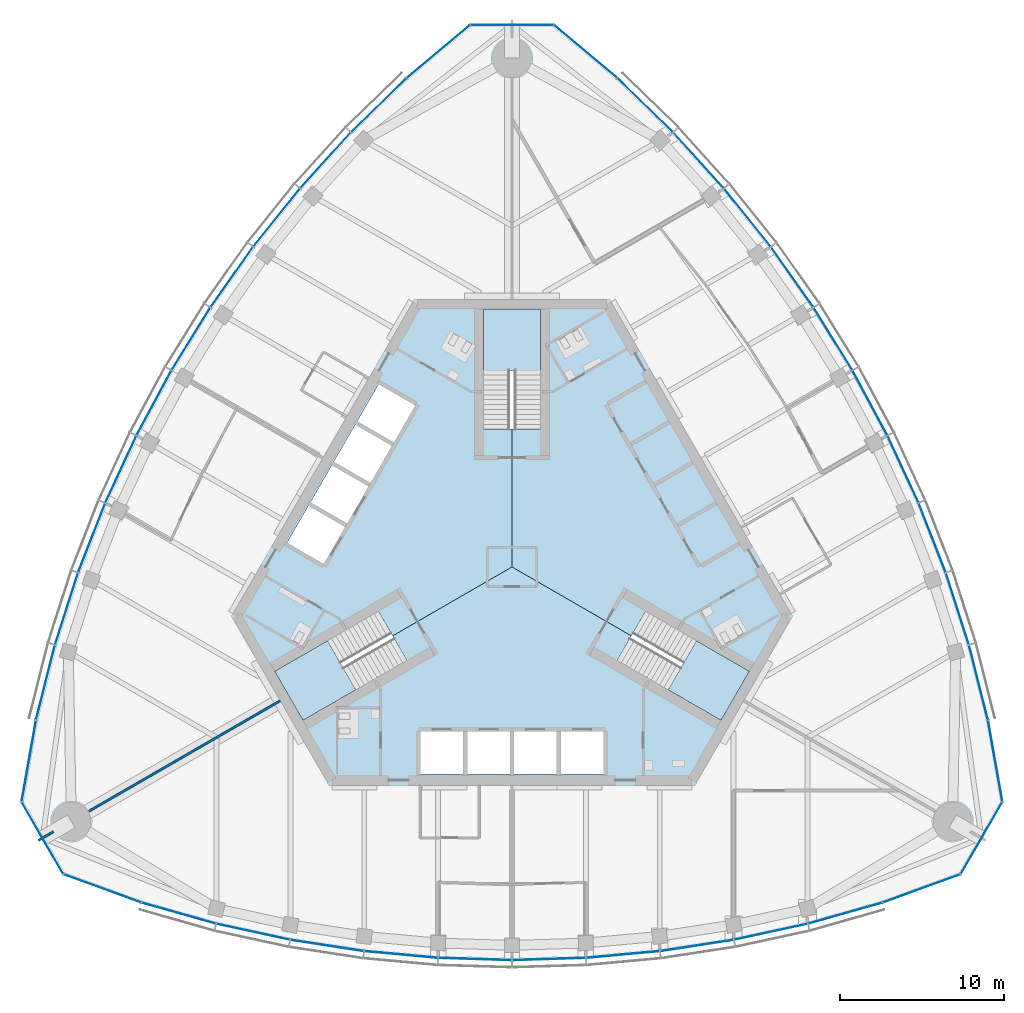
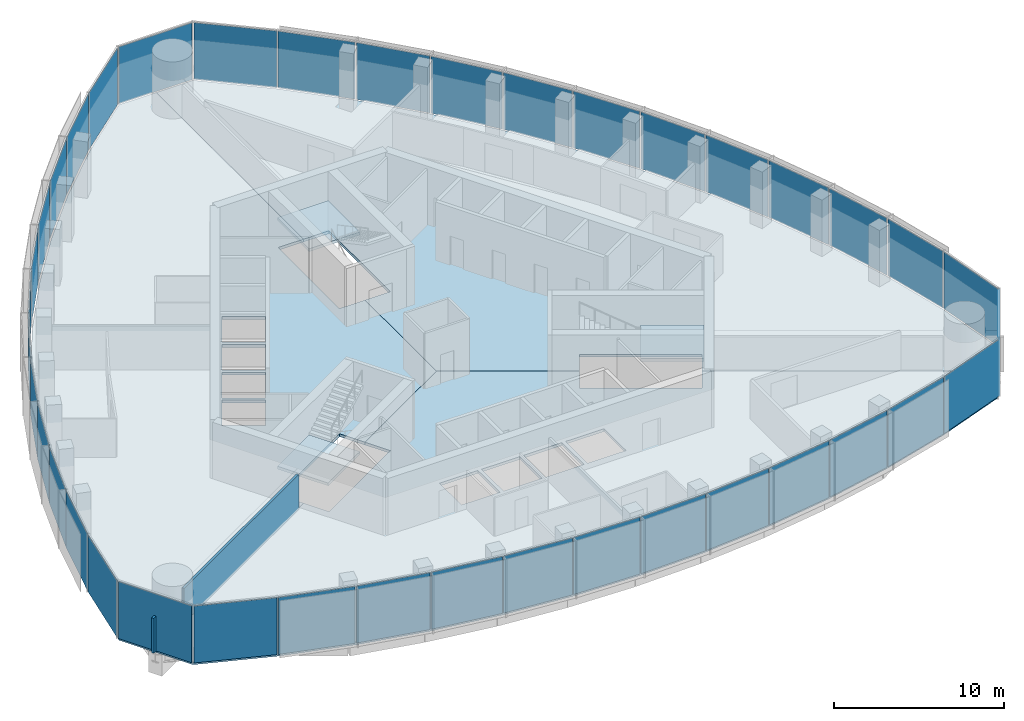
# One storey, part 7 of 16: 39 plates, 6 slabs, 2 walls, 9 elements without a shape of their own.
"""IFC4 building model written with IfcOpenShell, lengths in metres."""

from ifc_helpers import new_model, si_unit, direction, frame, frame_2d, origin, origin_2d, place, context, subcontext, project, spatial, polyline, rectangle, outline, extrude, material, layer, layer_set, type_object, element, aggregate, save


model = new_model("IFC4")

# Units and contexts
model_context = context("Model", 3, precision=1e-05, world=origin(), true_north=direction((0.0, 1.0)))
body_context = subcontext(model_context, "Body", "Model", "MODEL_VIEW")
ifc_project = project(units=[si_unit("LENGTHUNIT", "METRE"), si_unit("AREAUNIT", "SQUARE_METRE"), si_unit("VOLUMEUNIT", "CUBIC_METRE"), si_unit("PLANEANGLEUNIT", "RADIAN"), si_unit("MASSUNIT", "GRAM", prefix="KILO")], contexts=[model_context])

# Site, building, storey
site_placement = place(None, origin())
site = spatial("IfcSite", under=ifc_project, at=site_placement, CompositionType="ELEMENT")
building_placement = place(site_placement, origin())
building = spatial("IfcBuilding", under=site, at=building_placement, Name="Trefoil Bronze Tower", CompositionType="ELEMENT")
storey_placement = place(building_placement, frame((0.0, 0.0, 314.10009765625)))
storey = spatial("IfcBuildingStorey", under=building, at=storey_placement, Name="L72", CompositionType="ELEMENT", Elevation=314.10009765625)

# Curtain wall, plates
ifc_material_1 = material(Name="Tinted solar-control glass", Category="glass")
curtain_wall_type_1 = type_object("IfcCurtainWallType", Name="Bronze office curtain wall", PredefinedType="USERDEFINED", material=ifc_material_1)
curtain_wall_1_placement = place(storey_placement, origin())
curtain_wall_1 = element("IfcCurtainWall", 1, at=curtain_wall_1_placement, inside=storey, type_object=curtain_wall_type_1, Name="CW-A L72 F1", ObjectType="CURTAIN WALL", PredefinedType="USERDEFINED")
ifc_material_2 = material(Name="Tinted solar-control glass", Category="glass")
ifc_layer_1 = layer(ifc_material_2, 0.030029296875)
ifc_layer_set_1 = layer_set([ifc_layer_1], Name="Bronze office curtain wall glass panel")
plate_type_1 = type_object("IfcPlateType", Name="Bronze office curtain wall glass panel", PredefinedType="CURTAIN_PANEL", material=ifc_layer_set_1)
plate_1_placement = place(storey_placement, frame((-20.301513671875, -21.092529296875, -0.000244140625), z_axis=(0.0, 0.0, 1.0), x_axis=(0.962097746943, -0.272704831875, 0.0)))
plate_1 = element("IfcPlate", 2, at=plate_1_placement, type_object=plate_type_1, Name="CW-A L72 F1 panel 1", PredefinedType="CURTAIN_PANEL", context=body_context, shape_type="SweptSolid", body=[
    extrude(rectangle(XDim=4.6474609375, YDim=0.030029296875, at=origin_2d()), origin(), (0.0, 0.0, 1.0), 4.080078125),
])
plate_2_placement = place(storey_placement, frame((-15.771240234375, -22.226318359375, -0.000244140625), z_axis=(0.0, 0.0, 1.0), x_axis=(0.977303138829, -0.211845639168, 0.0)))
plate_2 = element("IfcPlate", 3, at=plate_2_placement, type_object=plate_type_1, Name="CW-A L72 F1 panel 2", PredefinedType="CURTAIN_PANEL", context=body_context, shape_type="SweptSolid", body=[
    extrude(rectangle(XDim=4.5244140625, YDim=0.030029296875, at=origin_2d()), origin(), (0.0, 0.0, 1.0), 4.080078125),
])
plate_3_placement = place(storey_placement, frame((-11.26513671875, -23.0595703125, -0.000244140625), z_axis=(0.0, 0.0, 1.0), x_axis=(0.988485337216, -0.151316681529, 0.0)))
plate_3 = element("IfcPlate", 4, at=plate_3_placement, type_object=plate_type_1, Name="CW-A L72 F1 panel 3", PredefinedType="CURTAIN_PANEL", context=body_context, shape_type="SweptSolid", body=[
    extrude(rectangle(XDim=4.472412109375, YDim=0.030029296875, at=origin_2d()), origin(), (0.0, 0.0, 1.0), 4.080078125),
])
plate_4_placement = place(storey_placement, frame((-6.759033203125, -23.60986328125, -0.000244140625), z_axis=(0.0, 0.0, 1.0), x_axis=(0.99587011625, -0.090789380212, 0.0)))
plate_4 = element("IfcPlate", 5, at=plate_4_placement, type_object=plate_type_1, Name="CW-A L72 F1 panel 4", PredefinedType="CURTAIN_PANEL", context=body_context, shape_type="SweptSolid", body=[
    extrude(rectangle(XDim=4.438720703125, YDim=0.030029296875, at=origin_2d()), origin(), (0.0, 0.0, 1.0), 4.080078125),
])
plate_5_placement = place(storey_placement, frame((-2.2529296875, -23.883544921875, -0.000244140625), z_axis=(0.0, 0.0, 1.0), x_axis=(0.999541969785, -0.030263024264, 0.0)))
plate_5 = element("IfcPlate", 6, at=plate_5_placement, type_object=plate_type_1, Name="CW-A L72 F1 panel 5", PredefinedType="CURTAIN_PANEL", context=body_context, shape_type="SweptSolid", body=[
    extrude(rectangle(XDim=4.422119140625, YDim=0.030029296875, at=origin_2d()), origin(), (0.0, 0.0, 1.0), 4.080078125),
])
plate_6_placement = place(storey_placement, frame((2.2529296875, -23.883544921875, -0.000244140625), z_axis=(0.0, 0.0, 1.0), x_axis=(0.999541969785, 0.030263024264, 0.0)))
plate_6 = element("IfcPlate", 7, at=plate_6_placement, type_object=plate_type_1, Name="CW-A L72 F1 panel 6", PredefinedType="CURTAIN_PANEL", context=body_context, shape_type="SweptSolid", body=[
    extrude(rectangle(XDim=4.422119140625, YDim=0.030029296875, at=origin_2d()), origin(), (0.0, 0.0, 1.0), 4.080078125),
])
plate_7_placement = place(storey_placement, frame((6.759033203125, -23.60986328125, -0.000244140625), z_axis=(0.0, 0.0, 1.0), x_axis=(0.99587011625, 0.090789380212, 0.0)))
plate_7 = element("IfcPlate", 8, at=plate_7_placement, type_object=plate_type_1, Name="CW-A L72 F1 panel 7", PredefinedType="CURTAIN_PANEL", context=body_context, shape_type="SweptSolid", body=[
    extrude(rectangle(XDim=4.438720703125, YDim=0.030029296875, at=origin_2d()), origin(), (0.0, 0.0, 1.0), 4.080078125),
])
plate_8_placement = place(storey_placement, frame((11.26513671875, -23.0595703125, -0.000244140625), z_axis=(0.0, 0.0, 1.0), x_axis=(0.988485337216, 0.151316681529, 0.0)))
plate_8 = element("IfcPlate", 9, at=plate_8_placement, type_object=plate_type_1, Name="CW-A L72 F1 panel 8", PredefinedType="CURTAIN_PANEL", context=body_context, shape_type="SweptSolid", body=[
    extrude(rectangle(XDim=4.472412109375, YDim=0.030029296875, at=origin_2d()), origin(), (0.0, 0.0, 1.0), 4.080078125),
])
plate_9_placement = place(storey_placement, frame((15.771240234375, -22.226318359375, -0.000244140625), z_axis=(0.0, 0.0, 1.0), x_axis=(0.977303138829, 0.211845639168, 0.0)))
plate_9 = element("IfcPlate", 10, at=plate_9_placement, type_object=plate_type_1, Name="CW-A L72 F1 panel 9", PredefinedType="CURTAIN_PANEL", context=body_context, shape_type="SweptSolid", body=[
    extrude(rectangle(XDim=4.5244140625, YDim=0.030029296875, at=origin_2d()), origin(), (0.0, 0.0, 1.0), 4.080078125),
])
plate_10_placement = place(storey_placement, frame((20.301513671875, -21.092529296875, -0.000244140625), z_axis=(0.0, 0.0, 1.0), x_axis=(0.962097746943, 0.272704831875, 0.0)))
plate_10 = element("IfcPlate", 11, at=plate_10_placement, type_object=plate_type_1, Name="CW-A L72 F1 panel 10", PredefinedType="CURTAIN_PANEL", context=body_context, shape_type="SweptSolid", body=[
    extrude(rectangle(XDim=4.6474609375, YDim=0.030029296875, at=origin_2d()), origin(), (0.0, 0.0, 1.0), 4.080078125),
])
aggregate(curtain_wall_1, [plate_1, plate_2, plate_3, plate_4, plate_5, plate_6, plate_7, plate_8, plate_9, plate_10])

curtain_wall_2_placement = place(storey_placement, origin())
curtain_wall_2 = element("IfcCurtainWall", 12, at=curtain_wall_2_placement, inside=storey, type_object=curtain_wall_type_1, Name="CW-A L72 F2", ObjectType="CURTAIN WALL", PredefinedType="USERDEFINED")
plate_11_placement = place(storey_placement, frame((28.417236328125, -7.035400390625, -0.000244140625), z_axis=(0.0, 0.0, 1.0), x_axis=(-0.244879561333, 0.969553505713, 0.0)))
plate_11 = element("IfcPlate", 13, at=plate_11_placement, type_object=plate_type_1, Name="CW-A L72 F2 panel 1", PredefinedType="CURTAIN_PANEL", context=body_context, shape_type="SweptSolid", body=[
    extrude(rectangle(XDim=4.6474609375, YDim=0.030029296875, at=origin_2d()), origin(), (0.0, 0.0, 1.0), 4.080078125),
])
plate_12_placement = place(storey_placement, frame((27.134033203125, -2.545166015625, -0.000244140625), z_axis=(0.0, 0.0, 1.0), x_axis=(-0.305187864214, 0.952292165009, 0.0)))
plate_12 = element("IfcPlate", 14, at=plate_12_placement, type_object=plate_type_1, Name="CW-A L72 F2 panel 2", PredefinedType="CURTAIN_PANEL", context=body_context, shape_type="SweptSolid", body=[
    extrude(rectangle(XDim=4.5244140625, YDim=0.030029296875, at=origin_2d()), origin(), (0.0, 0.0, 1.0), 4.080078125),
])
plate_13_placement = place(storey_placement, frame((25.602783203125, 1.77392578125, -0.000244140625), z_axis=(0.0, 0.0, 1.0), x_axis=(-0.363198578387, 0.931711754062, 0.0)))
plate_13 = element("IfcPlate", 15, at=plate_13_placement, type_object=plate_type_1, Name="CW-A L72 F2 panel 3", PredefinedType="CURTAIN_PANEL", context=body_context, shape_type="SweptSolid", body=[
    extrude(rectangle(XDim=4.472412109375, YDim=0.030029296875, at=origin_2d()), origin(), (0.0, 0.0, 1.0), 4.080078125),
])
plate_14_placement = place(storey_placement, frame((23.826171875, 5.951416015625, -0.000244140625), z_axis=(0.0, 0.0, 1.0), x_axis=(-0.419309148468, 0.907843509649, 0.0)))
plate_14 = element("IfcPlate", 16, at=plate_14_placement, type_object=plate_type_1, Name="CW-A L72 F2 panel 4", PredefinedType="CURTAIN_PANEL", context=body_context, shape_type="SweptSolid", body=[
    extrude(rectangle(XDim=4.438720703125, YDim=0.030029296875, at=origin_2d()), origin(), (0.0, 0.0, 1.0), 4.080078125),
])
plate_15_placement = place(storey_placement, frame((21.81005859375, 9.990478515625, -0.000244140625), z_axis=(0.0, 0.0, 1.0), x_axis=(-0.473562437085, 0.880760250115, 0.0)))
plate_15 = element("IfcPlate", 17, at=plate_15_placement, type_object=plate_type_1, Name="CW-A L72 F2 panel 5", PredefinedType="CURTAIN_PANEL", context=body_context, shape_type="SweptSolid", body=[
    extrude(rectangle(XDim=4.422119140625, YDim=0.030029296875, at=origin_2d()), origin(), (0.0, 0.0, 1.0), 4.080078125),
])
plate_16_placement = place(storey_placement, frame((19.55712890625, 13.892822265625, -0.000244140625), z_axis=(0.0, 0.0, 1.0), x_axis=(-0.525979532701, 0.850497225851, 0.0)))
plate_16 = element("IfcPlate", 18, at=plate_16_placement, type_object=plate_type_1, Name="CW-A L72 F2 panel 6", PredefinedType="CURTAIN_PANEL", context=body_context, shape_type="SweptSolid", body=[
    extrude(rectangle(XDim=4.422119140625, YDim=0.030029296875, at=origin_2d()), origin(), (0.0, 0.0, 1.0), 4.080078125),
])
plate_17_placement = place(storey_placement, frame((17.067138671875, 17.658447265625, -0.000244140625), z_axis=(0.0, 0.0, 1.0), x_axis=(-0.576560967783, 0.817054129437, 0.0)))
plate_17 = element("IfcPlate", 19, at=plate_17_placement, type_object=plate_type_1, Name="CW-A L72 F2 panel 7", PredefinedType="CURTAIN_PANEL", context=body_context, shape_type="SweptSolid", body=[
    extrude(rectangle(XDim=4.438720703125, YDim=0.030029296875, at=origin_2d()), origin(), (0.0, 0.0, 1.0), 4.080078125),
])
plate_18_placement = place(storey_placement, frame((14.337646484375, 21.28564453125, -0.000244140625), z_axis=(0.0, 0.0, 1.0), x_axis=(-0.625286758829, 0.780395072533, 0.0)))
plate_18 = element("IfcPlate", 20, at=plate_18_placement, type_object=plate_type_1, Name="CW-A L72 F2 panel 8", PredefinedType="CURTAIN_PANEL", context=body_context, shape_type="SweptSolid", body=[
    extrude(rectangle(XDim=4.472412109375, YDim=0.030029296875, at=origin_2d()), origin(), (0.0, 0.0, 1.0), 4.080078125),
])
plate_19_placement = place(storey_placement, frame((11.36279296875, 24.771484375, -0.000244140625), z_axis=(0.0, 0.0, 1.0), x_axis=(-0.672115274615, 0.74044652584, 0.0)))
plate_19 = element("IfcPlate", 21, at=plate_19_placement, type_object=plate_type_1, Name="CW-A L72 F2 panel 9", PredefinedType="CURTAIN_PANEL", context=body_context, shape_type="SweptSolid", body=[
    extrude(rectangle(XDim=4.5244140625, YDim=0.030029296875, at=origin_2d()), origin(), (0.0, 0.0, 1.0), 4.080078125),
])
plate_20_placement = place(storey_placement, frame((8.115966796875, 28.127685546875, -0.000244140625), z_axis=(0.0, 0.0, 1.0), x_axis=(-0.71721818561, 0.696848673839, 0.0)))
plate_20 = element("IfcPlate", 22, at=plate_20_placement, type_object=plate_type_1, Name="CW-A L72 F2 panel 10", PredefinedType="CURTAIN_PANEL", context=body_context, shape_type="SweptSolid", body=[
    extrude(rectangle(XDim=4.6474609375, YDim=0.030029296875, at=origin_2d()), origin(), (0.0, 0.0, 1.0), 4.080078125),
])
aggregate(curtain_wall_2, [plate_11, plate_12, plate_13, plate_14, plate_15, plate_16, plate_17, plate_18, plate_19, plate_20])

curtain_wall_3_placement = place(storey_placement, origin())
curtain_wall_3 = element("IfcCurtainWall", 23, at=curtain_wall_3_placement, inside=storey, type_object=curtain_wall_type_1, Name="CW-A L72 F3", ObjectType="CURTAIN WALL", PredefinedType="USERDEFINED")
plate_21_placement = place(storey_placement, frame((-8.115966796875, 28.127685546875, -0.000244140625), z_axis=(0.0, 0.0, 1.0), x_axis=(-0.71721818561, -0.696848673839, 0.0)))
plate_21 = element("IfcPlate", 24, at=plate_21_placement, type_object=plate_type_1, Name="CW-A L72 F3 panel 1", PredefinedType="CURTAIN_PANEL", context=body_context, shape_type="SweptSolid", body=[
    extrude(rectangle(XDim=4.6474609375, YDim=0.030029296875, at=origin_2d()), origin(), (0.0, 0.0, 1.0), 4.080078125),
])
plate_22_placement = place(storey_placement, frame((-11.36279296875, 24.771484375, -0.000244140625), z_axis=(0.0, 0.0, 1.0), x_axis=(-0.672115274615, -0.74044652584, 0.0)))
plate_22 = element("IfcPlate", 25, at=plate_22_placement, type_object=plate_type_1, Name="CW-A L72 F3 panel 2", PredefinedType="CURTAIN_PANEL", context=body_context, shape_type="SweptSolid", body=[
    extrude(rectangle(XDim=4.5244140625, YDim=0.030029296875, at=origin_2d()), origin(), (0.0, 0.0, 1.0), 4.080078125),
])
plate_23_placement = place(storey_placement, frame((-14.337646484375, 21.28564453125, -0.000244140625), z_axis=(0.0, 0.0, 1.0), x_axis=(-0.625286758829, -0.780395072533, 0.0)))
plate_23 = element("IfcPlate", 26, at=plate_23_placement, type_object=plate_type_1, Name="CW-A L72 F3 panel 3", PredefinedType="CURTAIN_PANEL", context=body_context, shape_type="SweptSolid", body=[
    extrude(rectangle(XDim=4.472412109375, YDim=0.030029296875, at=origin_2d()), origin(), (0.0, 0.0, 1.0), 4.080078125),
])
plate_24_placement = place(storey_placement, frame((-17.067138671875, 17.658447265625, -0.000244140625), z_axis=(0.0, 0.0, 1.0), x_axis=(-0.576560967783, -0.817054129437, 0.0)))
plate_24 = element("IfcPlate", 27, at=plate_24_placement, type_object=plate_type_1, Name="CW-A L72 F3 panel 4", PredefinedType="CURTAIN_PANEL", context=body_context, shape_type="SweptSolid", body=[
    extrude(rectangle(XDim=4.438720703125, YDim=0.030029296875, at=origin_2d()), origin(), (0.0, 0.0, 1.0), 4.080078125),
])
plate_25_placement = place(storey_placement, frame((-19.55712890625, 13.892822265625, -0.000244140625), z_axis=(0.0, 0.0, 1.0), x_axis=(-0.525979532701, -0.850497225851, 0.0)))
plate_25 = element("IfcPlate", 28, at=plate_25_placement, type_object=plate_type_1, Name="CW-A L72 F3 panel 5", PredefinedType="CURTAIN_PANEL", context=body_context, shape_type="SweptSolid", body=[
    extrude(rectangle(XDim=4.422119140625, YDim=0.030029296875, at=origin_2d()), origin(), (0.0, 0.0, 1.0), 4.080078125),
])
plate_26_placement = place(storey_placement, frame((-21.81005859375, 9.990478515625, -0.000244140625), z_axis=(0.0, 0.0, 1.0), x_axis=(-0.473562437085, -0.880760250115, 0.0)))
plate_26 = element("IfcPlate", 29, at=plate_26_placement, type_object=plate_type_1, Name="CW-A L72 F3 panel 6", PredefinedType="CURTAIN_PANEL", context=body_context, shape_type="SweptSolid", body=[
    extrude(rectangle(XDim=4.422119140625, YDim=0.030029296875, at=origin_2d()), origin(), (0.0, 0.0, 1.0), 4.080078125),
])
plate_27_placement = place(storey_placement, frame((-23.826171875, 5.951416015625, -0.000244140625), z_axis=(0.0, 0.0, 1.0), x_axis=(-0.419309148468, -0.907843509649, 0.0)))
plate_27 = element("IfcPlate", 30, at=plate_27_placement, type_object=plate_type_1, Name="CW-A L72 F3 panel 7", PredefinedType="CURTAIN_PANEL", context=body_context, shape_type="SweptSolid", body=[
    extrude(rectangle(XDim=4.438720703125, YDim=0.030029296875, at=origin_2d()), origin(), (0.0, 0.0, 1.0), 4.080078125),
])
plate_28_placement = place(storey_placement, frame((-25.602783203125, 1.77392578125, -0.000244140625), z_axis=(0.0, 0.0, 1.0), x_axis=(-0.363198578387, -0.931711754062, 0.0)))
plate_28 = element("IfcPlate", 31, at=plate_28_placement, type_object=plate_type_1, Name="CW-A L72 F3 panel 8", PredefinedType="CURTAIN_PANEL", context=body_context, shape_type="SweptSolid", body=[
    extrude(rectangle(XDim=4.472412109375, YDim=0.030029296875, at=origin_2d()), origin(), (0.0, 0.0, 1.0), 4.080078125),
])
plate_29_placement = place(storey_placement, frame((-27.134033203125, -2.545166015625, -0.000244140625), z_axis=(0.0, 0.0, 1.0), x_axis=(-0.305187864214, -0.952292165009, 0.0)))
plate_29 = element("IfcPlate", 32, at=plate_29_placement, type_object=plate_type_1, Name="CW-A L72 F3 panel 9", PredefinedType="CURTAIN_PANEL", context=body_context, shape_type="SweptSolid", body=[
    extrude(rectangle(XDim=4.5244140625, YDim=0.030029296875, at=origin_2d()), origin(), (0.0, 0.0, 1.0), 4.080078125),
])
plate_30_placement = place(storey_placement, frame((-28.417236328125, -7.035400390625, -0.000244140625), z_axis=(0.0, 0.0, 1.0), x_axis=(-0.244879561333, -0.969553505713, 0.0)))
plate_30 = element("IfcPlate", 33, at=plate_30_placement, type_object=plate_type_1, Name="CW-A L72 F3 panel 10", PredefinedType="CURTAIN_PANEL", context=body_context, shape_type="SweptSolid", body=[
    extrude(rectangle(XDim=4.6474609375, YDim=0.030029296875, at=origin_2d()), origin(), (0.0, 0.0, 1.0), 4.080078125),
])
aggregate(curtain_wall_3, [plate_21, plate_22, plate_23, plate_24, plate_25, plate_26, plate_27, plate_28, plate_29, plate_30])

ifc_material_3 = material(Name="Tinted solar-control glass", Category="glass")
curtain_wall_type_2 = type_object("IfcCurtainWallType", Name="Bronze rounded corner curtain wall", PredefinedType="USERDEFINED", material=ifc_material_3)
curtain_wall_4_placement = place(storey_placement, origin())
curtain_wall_4 = element("IfcCurtainWall", 34, at=curtain_wall_4_placement, inside=storey, type_object=curtain_wall_type_2, Name="CW-B L72 K1", ObjectType="CURTAIN WALL", PredefinedType="USERDEFINED")
ifc_material_4 = material(Name="Tinted solar-control glass", Category="glass")
ifc_layer_2 = layer(ifc_material_4, 0.030029296875)
ifc_layer_set_2 = layer_set([ifc_layer_2], Name="Bronze rounded corner curtain wall glass panel")
plate_type_2 = type_object("IfcPlateType", Name="Bronze rounded corner curtain wall glass panel", PredefinedType="CURTAIN_PANEL", material=ifc_layer_set_2)
plate_31_placement = place(storey_placement, frame((24.939453125, -19.587646484375, -0.000244140625), z_axis=(0.0, 0.0, 1.0), x_axis=(0.939692620786, 0.342020143326, 0.0)))
plate_31 = element("IfcPlate", 35, at=plate_31_placement, type_object=plate_type_2, Name="CW-B L72 K1 panel 1", PredefinedType="CURTAIN_PANEL", context=body_context, shape_type="SweptSolid", body=[
    extrude(rectangle(XDim=4.956298828125, YDim=0.030029296875, at=origin_2d()), origin(), (0.0, 0.0, 1.0), 4.080078125),
])
plate_32_placement = place(storey_placement, frame((28.602783203125, -16.513916015625, -0.000244140625), z_axis=(0.0, 0.0, 1.0), x_axis=(0.5, 0.866025403784, 0.0)))
plate_32 = element("IfcPlate", 36, at=plate_32_placement, type_object=plate_type_2, Name="CW-B L72 K1 panel 2", PredefinedType="CURTAIN_PANEL", context=body_context, shape_type="SweptSolid", body=[
    extrude(rectangle(XDim=4.956298828125, YDim=0.030029296875, at=origin_2d()), origin(), (0.0, 0.0, 1.0), 4.080078125),
])
plate_33_placement = place(storey_placement, frame((29.43310546875, -11.80419921875, -0.000244140625), z_axis=(0.0, 0.0, 1.0), x_axis=(-0.173648177667, 0.984807753012, 0.0)))
plate_33 = element("IfcPlate", 37, at=plate_33_placement, type_object=plate_type_2, Name="CW-B L72 K1 panel 3", PredefinedType="CURTAIN_PANEL", context=body_context, shape_type="SweptSolid", body=[
    extrude(rectangle(XDim=4.956298828125, YDim=0.030029296875, at=origin_2d()), origin(), (0.0, 0.0, 1.0), 4.080078125),
])
aggregate(curtain_wall_4, [plate_31, plate_32, plate_33])

curtain_wall_5_placement = place(storey_placement, origin())
curtain_wall_5 = element("IfcCurtainWall", 38, at=curtain_wall_5_placement, inside=storey, type_object=curtain_wall_type_2, Name="CW-B L72 K2", ObjectType="CURTAIN WALL", PredefinedType="USERDEFINED")
plate_34_placement = place(storey_placement, frame((4.493896484375, 31.39208984375, -0.000244140625), z_axis=(0.0, 0.0, 1.0), x_axis=(-0.766044443119, 0.642787609687, 0.0)))
plate_34 = element("IfcPlate", 39, at=plate_34_placement, type_object=plate_type_2, Name="CW-B L72 K2 panel 1", PredefinedType="CURTAIN_PANEL", context=body_context, shape_type="SweptSolid", body=[
    extrude(rectangle(XDim=4.956298828125, YDim=0.030029296875, at=origin_2d()), origin(), (0.0, 0.0, 1.0), 4.080078125),
])
plate_35_placement = place(storey_placement, frame((0.0, 33.027587890625, -0.000244140625), z_axis=(0.0, 0.0, 1.0), x_axis=(-1.0, 0.0, 0.0)))
plate_35 = element("IfcPlate", 40, at=plate_35_placement, type_object=plate_type_2, Name="CW-B L72 K2 panel 2", PredefinedType="CURTAIN_PANEL", context=body_context, shape_type="SweptSolid", body=[
    extrude(rectangle(XDim=4.956298828125, YDim=0.030029296875, at=origin_2d()), origin(), (0.0, 0.0, 1.0), 4.080078125),
])
plate_36_placement = place(storey_placement, frame((-4.493896484375, 31.39208984375, -0.000244140625), z_axis=(0.0, 0.0, 1.0), x_axis=(-0.766044443119, -0.642787609687, 0.0)))
plate_36 = element("IfcPlate", 41, at=plate_36_placement, type_object=plate_type_2, Name="CW-B L72 K2 panel 3", PredefinedType="CURTAIN_PANEL", context=body_context, shape_type="SweptSolid", body=[
    extrude(rectangle(XDim=4.956298828125, YDim=0.030029296875, at=origin_2d()), origin(), (0.0, 0.0, 1.0), 4.080078125),
])
aggregate(curtain_wall_5, [plate_34, plate_35, plate_36])

curtain_wall_6_placement = place(storey_placement, origin())
curtain_wall_6 = element("IfcCurtainWall", 42, at=curtain_wall_6_placement, inside=storey, type_object=curtain_wall_type_2, Name="CW-B L72 K3", ObjectType="CURTAIN WALL", PredefinedType="USERDEFINED")
plate_37_placement = place(storey_placement, frame((-29.43310546875, -11.80419921875, -0.000244140625), z_axis=(0.0, 0.0, 1.0), x_axis=(-0.173648177667, -0.984807753012, 0.0)))
plate_37 = element("IfcPlate", 43, at=plate_37_placement, type_object=plate_type_2, Name="CW-B L72 K3 panel 1", PredefinedType="CURTAIN_PANEL", context=body_context, shape_type="SweptSolid", body=[
    extrude(rectangle(XDim=4.956298828125, YDim=0.030029296875, at=origin_2d()), origin(), (0.0, 0.0, 1.0), 4.080078125),
])
plate_38_placement = place(storey_placement, frame((-28.602783203125, -16.513916015625, -0.000244140625), z_axis=(0.0, 0.0, 1.0), x_axis=(0.5, -0.866025403784, 0.0)))
plate_38 = element("IfcPlate", 44, at=plate_38_placement, type_object=plate_type_2, Name="CW-B L72 K3 panel 2", PredefinedType="CURTAIN_PANEL", context=body_context, shape_type="SweptSolid", body=[
    extrude(rectangle(XDim=4.956298828125, YDim=0.030029296875, at=origin_2d()), origin(), (0.0, 0.0, 1.0), 4.080078125),
])
plate_39_placement = place(storey_placement, frame((-24.939453125, -19.587646484375, -0.000244140625), z_axis=(0.0, 0.0, 1.0), x_axis=(0.939692620786, -0.342020143326, 0.0)))
plate_39 = element("IfcPlate", 45, at=plate_39_placement, type_object=plate_type_2, Name="CW-B L72 K3 panel 3", PredefinedType="CURTAIN_PANEL", context=body_context, shape_type="SweptSolid", body=[
    extrude(rectangle(XDim=4.956298828125, YDim=0.030029296875, at=origin_2d()), origin(), (0.0, 0.0, 1.0), 4.080078125),
])
aggregate(curtain_wall_6, [plate_37, plate_38, plate_39])

# Slabs
ifc_material_5 = material(Name="Concrete B30", Category="concrete")
ifc_layer_3 = layer(ifc_material_5, 0.199951171875)
ifc_layer_set_3 = layer_set([ifc_layer_3], Name="Floor slab 200")
slab_type_1 = type_object("IfcSlabType", Name="Floor slab 200", PredefinedType="FLOOR", material=ifc_layer_set_3)
slab_1_placement = place(storey_placement, frame((0.0, 0.0, -0.2001953125)))
element("IfcSlab", 46, at=slab_1_placement, inside=storey, type_object=slab_type_1, Name="Floor slab L72 face 1", PredefinedType="FLOOR", context=body_context, shape_type="SweptSolid", body=[
    extrude(outline(polyline([(13.5, -22.6162109375), (9.0, -23.30517578125), (4.5, -23.71533203125), (0.0, -23.8515625), (-4.5, -23.71533203125), (-9.0, -23.30517578125), (-13.5, -22.6162109375), (-18.0, -21.640869140625), (-22.54833984375, -20.3515625), (-27.261962890625, -18.635986328125), (-28.51611328125, -16.4638671875), (-13.510009765625, -7.800048828125), (-12.6474609375, -9.2939453125), (-6.412109375, -5.69384765625), (-7.274658203125, -4.199951171875), (0.0, 0.0), (7.274658203125, -4.199951171875), (6.412109375, -5.69384765625), (12.6474609375, -9.2939453125), (13.510009765625, -7.800048828125), (28.51611328125, -16.4638671875), (27.261962890625, -18.635986328125), (22.54833984375, -20.3515625), (18.0, -21.640869140625), (13.5, -22.6162109375)]), holes=[polyline([(-5.574951171875, -10.02490234375), (-2.97509765625, -10.02490234375), (-2.97509765625, -12.60009765625), (-5.574951171875, -12.60009765625), (-5.574951171875, -10.02490234375)]), polyline([(-2.72509765625, -10.02490234375), (-0.125, -10.02490234375), (-0.125, -12.60009765625), (-2.72509765625, -12.60009765625), (-2.72509765625, -10.02490234375)]), polyline([(0.125, -10.02490234375), (2.72509765625, -10.02490234375), (2.72509765625, -12.60009765625), (0.125, -12.60009765625), (0.125, -10.02490234375)]), polyline([(2.97509765625, -10.02490234375), (5.574951171875, -10.02490234375), (5.574951171875, -12.60009765625), (2.97509765625, -12.60009765625), (2.97509765625, -10.02490234375)])]), origin(), (0.0, 0.0, 1.0), 0.2001953125),
])
slab_2_placement = place(storey_placement, frame((0.0, 0.0, -0.2001953125)))
element("IfcSlab", 47, at=slab_2_placement, inside=storey, type_object=slab_type_1, Name="Floor slab L72 face 2", PredefinedType="FLOOR", context=body_context, shape_type="SweptSolid", body=[
    extrude(outline(polyline([(12.836181640625, 22.99951171875), (15.682861328125, 19.44677734375), (18.2880859375, 15.7548828125), (20.656005859375, 11.92578125), (22.7880859375, 7.96044921875), (24.682861328125, 3.8583984375), (26.336181640625, -0.38330078125), (27.741455078125, -4.76806640625), (28.899169921875, -9.3515625), (29.770263671875, -14.291748046875), (28.51611328125, -16.4638671875), (13.510009765625, -7.800048828125), (14.37255859375, -6.30615234375), (8.13720703125, -2.7060546875), (7.274658203125, -4.199951171875), (0.0, 0.0), (0.0, 8.39990234375), (1.72509765625, 8.39990234375), (1.72509765625, 15.60009765625), (0.0, 15.60009765625), (0.0, 32.927490234375), (2.508056640625, 32.927490234375), (6.350830078125, 29.703125), (9.741455078125, 26.408935546875), (12.836181640625, 22.99951171875)])), origin(), (0.0, 0.0, 1.0), 0.2001953125),
])
slab_3_placement = place(storey_placement, frame((0.0, 0.0, -0.2001953125)))
element("IfcSlab", 48, at=slab_3_placement, inside=storey, type_object=slab_type_1, Name="Floor slab L72 face 3", PredefinedType="FLOOR", context=body_context, shape_type="SweptSolid", body=[
    extrude(outline(polyline([(-26.336181640625, -0.38330078125), (-24.682861328125, 3.8583984375), (-22.7880859375, 7.96044921875), (-20.656005859375, 11.92578125), (-18.2880859375, 15.7548828125), (-15.682861328125, 19.44677734375), (-12.836181640625, 22.99951171875), (-9.741455078125, 26.408935546875), (-6.350830078125, 29.703125), (-2.508056640625, 32.927490234375), (0.0, 32.927490234375), (0.0, 15.60009765625), (-1.72509765625, 15.60009765625), (-1.72509765625, 8.39990234375), (0.0, 8.39990234375), (0.0, 0.0), (-7.274658203125, -4.199951171875), (-8.13720703125, -2.7060546875), (-14.37255859375, -6.30615234375), (-13.510009765625, -7.800048828125), (-28.51611328125, -16.4638671875), (-29.770263671875, -14.291748046875), (-28.899169921875, -9.3515625), (-27.741455078125, -4.76806640625), (-26.336181640625, -0.38330078125)]), holes=[polyline([(-5.894287109375, 9.840576171875), (-7.1943359375, 7.5888671875), (-9.42431640625, 8.87646484375), (-8.12451171875, 11.128173828125), (-5.894287109375, 9.840576171875)]), polyline([(-7.3193359375, 7.372314453125), (-8.619384765625, 5.120849609375), (-10.849365234375, 6.408203125), (-9.54931640625, 8.659912109375), (-7.3193359375, 7.372314453125)]), polyline([(-8.744384765625, 4.904296875), (-10.04443359375, 2.652587890625), (-12.2744140625, 3.940185546875), (-10.974365234375, 6.191650390625), (-8.744384765625, 4.904296875)]), polyline([(-10.16943359375, 2.43603515625), (-11.469482421875, 0.184326171875), (-13.699462890625, 1.471923828125), (-12.3994140625, 3.7236328125), (-10.16943359375, 2.43603515625)])]), origin(), (0.0, 0.0, 1.0), 0.2001953125),
])

# Stair, slab
ifc_material_6 = material(Name="Precast concrete B80", Category="concrete")
stair_type = type_object("IfcStairType", Name="Exit stair 26 risers", PredefinedType="HALF_TURN_STAIR", material=ifc_material_6)
stair_1_placement = place(storey_placement, origin())
stair_1 = element("IfcStair", 49, at=stair_1_placement, inside=storey, type_object=stair_type, Name="Stair ST1 L72", PredefinedType="HALF_TURN_STAIR")
ifc_material_7 = material(Name="Concrete B30", Category="concrete")
ifc_layer_4 = layer(ifc_material_7, 0.199951171875)
ifc_layer_set_4 = layer_set([ifc_layer_4], Name="Stair landing 200")
slab_type_2 = type_object("IfcSlabType", Name="Stair landing 200", PredefinedType="LANDING", material=ifc_layer_set_4)
slab_4_placement = place(storey_placement, frame((0.0, 0.0, 1.89990234375)))
slab_4 = element("IfcSlab", 50, at=slab_4_placement, type_object=slab_type_2, Name="ST1 landing 1", PredefinedType="LANDING", context=body_context, shape_type="SweptSolid", body=[
    extrude(outline(polyline([(9.512451171875, -7.48388671875), (12.734130859375, -9.343994140625), (14.458984375, -6.356201171875), (11.237548828125, -4.49609375), (9.512451171875, -7.48388671875)])), origin(), (0.0, 0.0, 1.0), 0.199951171875),
])
aggregate(stair_1, [slab_4])

stair_2_placement = place(storey_placement, origin())
stair_2 = element("IfcStair", 51, at=stair_2_placement, inside=storey, type_object=stair_type, Name="Stair ST2 L72", PredefinedType="HALF_TURN_STAIR")
slab_5_placement = place(storey_placement, frame((0.0, 0.0, 1.89990234375)))
slab_5 = element("IfcSlab", 52, at=slab_5_placement, type_object=slab_type_2, Name="ST2 landing 1", PredefinedType="LANDING", context=body_context, shape_type="SweptSolid", body=[
    extrude(outline(polyline([(1.72509765625, 11.97998046875), (1.72509765625, 15.699951171875), (-1.72509765625, 15.699951171875), (-1.72509765625, 11.97998046875), (1.72509765625, 11.97998046875)])), origin(), (0.0, 0.0, 1.0), 0.199951171875),
])
aggregate(stair_2, [slab_5])

stair_3_placement = place(storey_placement, origin())
stair_3 = element("IfcStair", 53, at=stair_3_placement, inside=storey, type_object=stair_type, Name="Stair ST3 L72", PredefinedType="HALF_TURN_STAIR")
slab_6_placement = place(storey_placement, frame((0.0, 0.0, 1.89990234375)))
slab_6 = element("IfcSlab", 54, at=slab_6_placement, type_object=slab_type_2, Name="ST3 landing 1", PredefinedType="LANDING", context=body_context, shape_type="SweptSolid", body=[
    extrude(outline(polyline([(-11.237548828125, -4.49609375), (-14.458984375, -6.356201171875), (-12.734130859375, -9.343994140625), (-9.512451171875, -7.48388671875), (-11.237548828125, -4.49609375)])), origin(), (0.0, 0.0, 1.0), 0.199951171875),
])
aggregate(stair_3, [slab_6])

# Walls
ifc_material_8 = material(Name="Gypsum board on steel studs", Category="steel")
ifc_layer_5 = layer(ifc_material_8, 0.14990234375)
ifc_layer_set_5 = layer_set([ifc_layer_5], Name="Party wall 150")
wall_type = type_object("IfcWallType", Name="Party wall 150", PredefinedType="PARTITIONING", material=ifc_layer_set_5)
wall_1_placement = place(storey_placement, frame((-14.1162109375, -8.14990234375, 0.0), z_axis=(0.0, 0.0, 1.0), x_axis=(-0.866020541135, -0.500008422262, 0.0)))
element("IfcWall", 55, at=wall_1_placement, inside=storey, type_object=wall_type, Name="Party wall K3 L72", PredefinedType="PARTITIONING", context=body_context, shape_type="SweptSolid", body=[
    extrude(rectangle(XDim=13.449951171875, YDim=0.14990234375, at=frame_2d((6.72509765625, 0.0))), origin(), (0.0, 0.0, 1.0), 2.5),
])
wall_2_placement = place(storey_placement, frame((-27.92919921875, -16.125, 0.0), z_axis=(0.0, 0.0, 1.0), x_axis=(-0.866086810508, -0.499893625349, 0.0)))
element("IfcWall", 56, at=wall_2_placement, inside=storey, type_object=wall_type, Name="Party wall K3 L72", PredefinedType="PARTITIONING", context=body_context, shape_type="SweptSolid", body=[
    extrude(rectangle(XDim=1.070068359375, YDim=0.14990234375, at=frame_2d((0.53515625, 0.0))), origin(), (0.0, 0.0, 1.0), 2.5),
])

save(model, "model.ifc")
